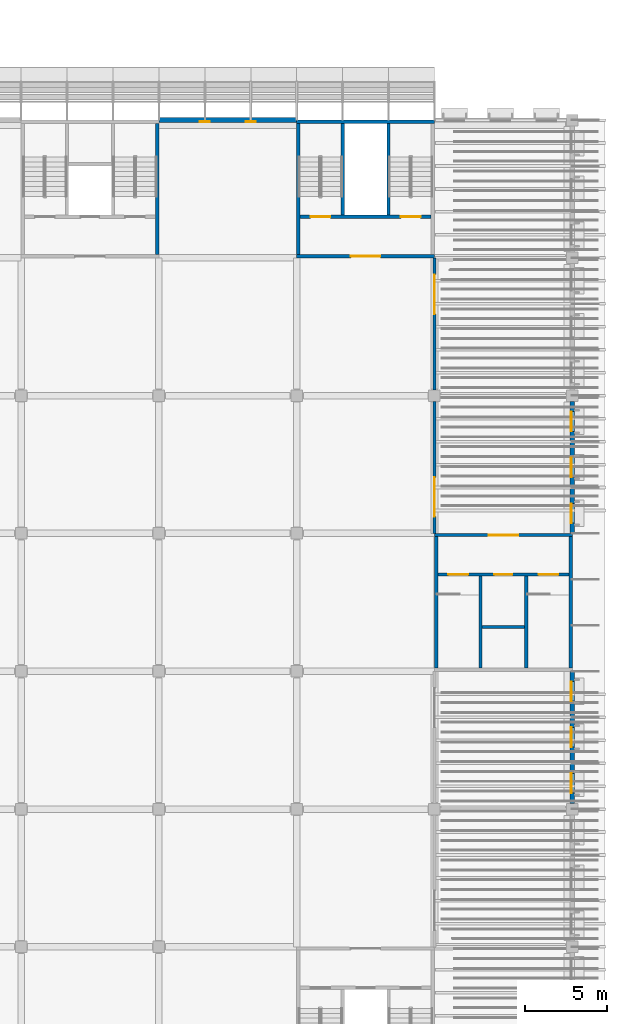
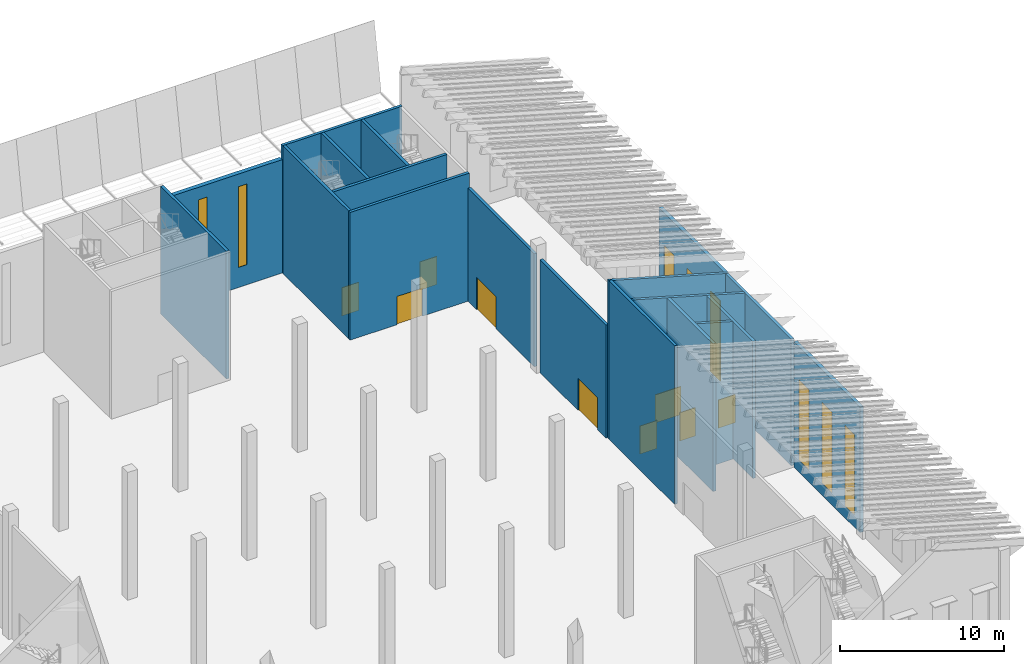
# One storey, part 51 of 114: 19 walls, 9 doors, 8 windows, 17 openings.
"""IFC4 building model written with IfcOpenShell, lengths in metres."""

from ifc_helpers import new_model, si_unit, direction, frame, frame_2d, origin, place, context, subcontext, project, spatial, polyline, rectangle, outline, extrude, material, layer, layer_set, type_object, element, fill, save


model = new_model("IFC4")

# Units and contexts
model_context = context("Model", 3, precision=1e-05, world=origin(), true_north=direction((0.0, 1.0)))
body_context = subcontext(model_context, "Body", "Model", "MODEL_VIEW")
ifc_project = project(units=[si_unit("LENGTHUNIT", "METRE"), si_unit("AREAUNIT", "SQUARE_METRE"), si_unit("VOLUMEUNIT", "CUBIC_METRE"), si_unit("PLANEANGLEUNIT", "RADIAN"), si_unit("MASSUNIT", "GRAM", prefix="KILO")], contexts=[model_context])

# Site, building, storey
site_placement = place(None, origin())
site = spatial("IfcSite", under=ifc_project, at=site_placement, CompositionType="ELEMENT")
building_placement = place(site_placement, origin())
building = spatial("IfcBuilding", under=site, at=building_placement, Name="Almond Square Museum", CompositionType="ELEMENT")
storey_placement = place(building_placement, frame((0.0, 0.0, 10.5)))
storey = spatial("IfcBuildingStorey", under=building, at=storey_placement, Name="L02", CompositionType="ELEMENT", Elevation=10.5)

# Wall, openings, windows
ifc_material_1 = material(Name="Concrete C30/37", Category="concrete")
ifc_layer_1 = layer(ifc_material_1, 0.300048828125)
ifc_layer_set_1 = layer_set([ifc_layer_1], Name="Concrete C30/37")
wall_type_1 = type_object("IfcWallType", Name="Cast concrete wall 300 C30/37 behind louvre skin", PredefinedType="SOLIDWALL", material=ifc_layer_set_1)
wall_1_placement = place(storey_placement, frame((132.0, 109.199951171875, 0.0), z_axis=(0.0, 0.0, 1.0), x_axis=(1.0, 0.0, 0.0)))
wall_1 = element("IfcWall", 1, at=wall_1_placement, inside=storey, type_object=wall_type_1, Name="External wall W1 V1 L02 N01", PredefinedType="SOLIDWALL", context=body_context, shape_type="SweptSolid", body=[
    extrude(rectangle(XDim=8.39990234375, YDim=0.300048828125, at=frame_2d((4.199951171875, 0.0))), origin(), (0.0, 0.0, 1.0), 8.43994140625),
])
opening_1_placement = place(wall_1_placement, frame((2.5, 0.0, 1.5)))
opening_1 = element("IfcOpeningElement", 2, at=opening_1_placement, cuts=wall_1, Name="Opening W2105", PredefinedType="OPENING", context=body_context, shape_type="SweptSolid", body=[
    extrude(rectangle(XDim=0.60009765625, YDim=6.0, at=frame_2d((0.300048828125, 3.0))), frame((0.0, 0.159912109375, 0.0), z_axis=(0.0, -1.0, 0.0), x_axis=(1.0, 0.0, 0.0)), (0.0, 0.0, 1.0), 0.320068359375),
])
opening_2_placement = place(wall_1_placement, frame((5.300048828125, 0.0, 1.5)))
opening_2 = element("IfcOpeningElement", 3, at=opening_2_placement, cuts=wall_1, Name="Opening W2106", PredefinedType="OPENING", context=body_context, shape_type="SweptSolid", body=[
    extrude(rectangle(XDim=0.60009765625, YDim=6.0, at=frame_2d((0.300048828125, 3.0))), frame((0.0, 0.159912109375, 0.0), z_axis=(0.0, -1.0, 0.0), x_axis=(1.0, 0.0, 0.0)), (0.0, 0.0, 1.0), 0.320068359375),
])
ifc_material_2 = material(Name="Anodised aluminium louvre and laminated glass", Category="aluminium")
window_type_1 = type_object("IfcWindowType", Name="Tall slot window with storm louvre", PartitioningType="SINGLE_PANEL", PredefinedType="WINDOW", material=ifc_material_2)
window_1_placement = place(opening_1_placement, origin())
window_1 = element("IfcWindow", 4, at=window_1_placement, inside=storey, type_object=window_type_1, Name="Tall slot window with storm louvre W2105", OverallHeight=6.0, OverallWidth=0.60009765625, PartitioningType="SINGLE_PANEL", PredefinedType="WINDOW", context=body_context, shape_type="SweptSolid", body=[
    extrude(rectangle(XDim=0.60009765625, YDim=6.0, at=frame_2d((0.300048828125, 3.0))), frame((0.0, -0.070068359375, 0.0), z_axis=(0.0, -1.0, 0.0), x_axis=(1.0, 0.0, 0.0)), (0.0, 0.0, 1.0), 0.06005859375),
])
fill(opening_1, window_1)
window_2_placement = place(opening_2_placement, origin())
window_2 = element("IfcWindow", 5, at=window_2_placement, inside=storey, type_object=window_type_1, Name="Tall slot window with storm louvre W2106", OverallHeight=6.0, OverallWidth=0.60009765625, PartitioningType="SINGLE_PANEL", PredefinedType="WINDOW", context=body_context, shape_type="SweptSolid", body=[
    extrude(rectangle(XDim=0.60009765625, YDim=6.0, at=frame_2d((0.300048828125, 3.0))), frame((0.0, -0.070068359375, 0.0), z_axis=(0.0, -1.0, 0.0), x_axis=(1.0, 0.0, 0.0)), (0.0, 0.0, 1.0), 0.06005859375),
])
fill(opening_2, window_2)

# Wall, opening, door
ifc_material_3 = material(Name="Painted gypsum board on steel stud", Category="steel")
ifc_layer_2 = layer(ifc_material_3, 0.199951171875)
ifc_layer_set_2 = layer_set([ifc_layer_2], Name="Painted gypsum board on steel stud")
wall_type_2 = type_object("IfcWallType", Name="Gallery wall 200 painted board on stud", PredefinedType="PARTITIONING", material=ifc_layer_set_2)
wall_2_placement = place(storey_placement, frame((148.800048828125, 84.0, 0.0), z_axis=(0.0, 0.0, 1.0), x_axis=(0.0, 1.0, 0.0)))
wall_2 = element("IfcWall", 6, at=wall_2_placement, inside=storey, type_object=wall_type_2, Name="L02 partition 9", PredefinedType="PARTITIONING", context=body_context, shape_type="SweptSolid", body=[
    extrude(rectangle(XDim=8.050048828125, YDim=0.199951171875, at=frame_2d((4.02490234375, 0.0))), origin(), (0.0, 0.0, 1.0), 8.39990234375),
])
opening_3_placement = place(wall_2_placement, frame((1.02490234375, 0.0, 0.0)))
opening_3 = element("IfcOpeningElement", 7, at=opening_3_placement, cuts=wall_2, Name="Opening D2121", PredefinedType="OPENING", context=body_context, shape_type="SweptSolid", body=[
    extrude(rectangle(XDim=2.39990234375, YDim=2.39990234375, at=frame_2d((1.199951171875, 1.199951171875))), frame((0.0, 0.10986328125, 0.0), z_axis=(0.0, -1.0, 0.0), x_axis=(1.0, 0.0, 0.0)), (0.0, 0.0, 1.0), 0.219970703125),
])
ifc_material_4 = material(Name="Timber", Category="wood")
door_type_1 = type_object("IfcDoorType", Name="Gallery door 2400 x 2400 timber double", OperationType="NOTDEFINED", PredefinedType="DOOR", material=ifc_material_4)
door_1_placement = place(opening_3_placement, origin())
door_1 = element("IfcDoor", 8, at=door_1_placement, inside=storey, type_object=door_type_1, Name="L02 door Sculpture Gallery 1 to Grand Gallery", OperationType="DOUBLE_DOOR_SINGLE_SWING", OverallHeight=2.39990234375, OverallWidth=2.39990234375, PredefinedType="DOOR", context=body_context, shape_type="SweptSolid", body=[
    extrude(rectangle(XDim=2.39990234375, YDim=2.39990234375, at=frame_2d((1.199951171875, 1.199951171875))), frame((0.0, 0.02490234375, 0.0), z_axis=(0.0, -1.0, 0.0), x_axis=(1.0, 0.0, 0.0)), (0.0, 0.0, 1.0), 0.050048828125),
])
fill(opening_3, door_1)

wall_3_placement = place(storey_placement, frame((148.800048828125, 92.75, 0.0), z_axis=(0.0, 0.0, 1.0), x_axis=(0.0, 1.0, 0.0)))
wall_3 = element("IfcWall", 9, at=wall_3_placement, inside=storey, type_object=wall_type_2, Name="L02 partition 10", PredefinedType="PARTITIONING", context=body_context, shape_type="SweptSolid", body=[
    extrude(rectangle(XDim=8.050048828125, YDim=0.199951171875, at=frame_2d((4.02490234375, 0.0))), origin(), (0.0, 0.0, 1.0), 8.39990234375),
])
opening_4_placement = place(wall_3_placement, frame((4.625, 0.0, 0.0)))
opening_4 = element("IfcOpeningElement", 10, at=opening_4_placement, cuts=wall_3, Name="Opening D2122", PredefinedType="OPENING", context=body_context, shape_type="SweptSolid", body=[
    extrude(rectangle(XDim=2.39990234375, YDim=2.39990234375, at=frame_2d((1.199951171875, 1.199951171875))), frame((0.0, 0.10986328125, 0.0), z_axis=(0.0, -1.0, 0.0), x_axis=(1.0, 0.0, 0.0)), (0.0, 0.0, 1.0), 0.219970703125),
])
door_2_placement = place(opening_4_placement, origin())
door_2 = element("IfcDoor", 11, at=door_2_placement, inside=storey, type_object=door_type_1, Name="L02 door Sculpture Gallery 1 to Grand Gallery", OperationType="DOUBLE_DOOR_SINGLE_SWING", OverallHeight=2.39990234375, OverallWidth=2.39990234375, PredefinedType="DOOR", context=body_context, shape_type="SweptSolid", body=[
    extrude(rectangle(XDim=2.39990234375, YDim=2.39990234375, at=frame_2d((1.199951171875, 1.199951171875))), frame((0.0, 0.02490234375, 0.0), z_axis=(0.0, -1.0, 0.0), x_axis=(1.0, 0.0, 0.0)), (0.0, 0.0, 1.0), 0.050048828125),
])
fill(opening_4, door_2)

# Wall, openings, windows
ifc_material_5 = material(Name="Precast concrete C40/50", Category="concrete")
ifc_layer_3 = layer(ifc_material_5, 0.25)
ifc_layer_set_3 = layer_set([ifc_layer_3], Name="Precast concrete C40/50")
wall_type_3 = type_object("IfcWallType", Name="Precast concrete panel wall 250 with coral limestone piers", PredefinedType="SOLIDWALL", material=ifc_layer_set_3)
wall_4_placement = place(storey_placement, frame((157.199951171875, 67.550048828125, 0.0), z_axis=(0.0, 0.0, 1.0), x_axis=(0.0, 1.0, 0.0)))
wall_4 = element("IfcWall", 12, at=wall_4_placement, inside=storey, type_object=wall_type_3, Name="External wall W2 V4E L02 E03", PredefinedType="SOLIDWALL", context=body_context, shape_type="SweptSolid", body=[
    extrude(rectangle(XDim=8.050048828125, YDim=0.25, at=frame_2d((4.02490234375, 0.0))), origin(), (0.0, 0.0, 1.0), 9.341552734375),
])
opening_5_placement = place(wall_4_placement, frame((0.625, 0.0, 0.89990234375)))
opening_5 = element("IfcOpeningElement", 13, at=opening_5_placement, cuts=wall_4, Name="Opening W2090", PredefinedType="OPENING", context=body_context, shape_type="SweptSolid", body=[
    extrude(rectangle(XDim=1.199951171875, YDim=6.0, at=frame_2d((0.60009765625, 3.0))), frame((0.0, 0.135009765625, 0.0), z_axis=(0.0, -1.0, 0.0), x_axis=(1.0, 0.0, 0.0)), (0.0, 0.0, 1.0), 0.27001953125),
])
opening_6_placement = place(wall_4_placement, frame((3.425048828125, 0.0, 0.89990234375)))
opening_6 = element("IfcOpeningElement", 14, at=opening_6_placement, cuts=wall_4, Name="Opening W2091", PredefinedType="OPENING", context=body_context, shape_type="SweptSolid", body=[
    extrude(rectangle(XDim=1.199951171875, YDim=6.0, at=frame_2d((0.60009765625, 3.0))), frame((0.0, 0.135009765625, 0.0), z_axis=(0.0, -1.0, 0.0), x_axis=(1.0, 0.0, 0.0)), (0.0, 0.0, 1.0), 0.27001953125),
])
opening_7_placement = place(wall_4_placement, frame((6.22509765625, 0.0, 0.89990234375)))
opening_7 = element("IfcOpeningElement", 15, at=opening_7_placement, cuts=wall_4, Name="Opening W2092", PredefinedType="OPENING", context=body_context, shape_type="SweptSolid", body=[
    extrude(rectangle(XDim=1.199951171875, YDim=6.0, at=frame_2d((0.60009765625, 3.0))), frame((0.0, 0.135009765625, 0.0), z_axis=(0.0, -1.0, 0.0), x_axis=(1.0, 0.0, 0.0)), (0.0, 0.0, 1.0), 0.27001953125),
])
ifc_material_6 = material(Name="Anodised aluminium louvre and laminated glass", Category="aluminium")
window_type_2 = type_object("IfcWindowType", Name="Tall louvred pier window", PartitioningType="SINGLE_PANEL", PredefinedType="WINDOW", material=ifc_material_6)
window_3_placement = place(opening_5_placement, origin())
window_3 = element("IfcWindow", 16, at=window_3_placement, inside=storey, type_object=window_type_2, Name="Tall louvred pier window W2090", OverallHeight=6.0, OverallWidth=1.199951171875, PartitioningType="SINGLE_PANEL", PredefinedType="WINDOW", context=body_context, shape_type="SweptSolid", body=[
    extrude(rectangle(XDim=1.199951171875, YDim=6.0, at=frame_2d((0.60009765625, 3.0))), frame((0.0, 0.10498046875, 0.0), z_axis=(0.0, -1.0, 0.0), x_axis=(1.0, 0.0, 0.0)), (0.0, 0.0, 1.0), 0.06005859375),
])
fill(opening_5, window_3)
window_4_placement = place(opening_6_placement, origin())
window_4 = element("IfcWindow", 17, at=window_4_placement, inside=storey, type_object=window_type_2, Name="Tall louvred pier window W2091", OverallHeight=6.0, OverallWidth=1.199951171875, PartitioningType="SINGLE_PANEL", PredefinedType="WINDOW", context=body_context, shape_type="SweptSolid", body=[
    extrude(rectangle(XDim=1.199951171875, YDim=6.0, at=frame_2d((0.60009765625, 3.0))), frame((0.0, 0.10498046875, 0.0), z_axis=(0.0, -1.0, 0.0), x_axis=(1.0, 0.0, 0.0)), (0.0, 0.0, 1.0), 0.06005859375),
])
fill(opening_6, window_4)
window_5_placement = place(opening_7_placement, origin())
window_5 = element("IfcWindow", 18, at=window_5_placement, inside=storey, type_object=window_type_2, Name="Tall louvred pier window W2092", OverallHeight=6.0, OverallWidth=1.199951171875, PartitioningType="SINGLE_PANEL", PredefinedType="WINDOW", context=body_context, shape_type="SweptSolid", body=[
    extrude(rectangle(XDim=1.199951171875, YDim=6.0, at=frame_2d((0.60009765625, 3.0))), frame((0.0, 0.10498046875, 0.0), z_axis=(0.0, -1.0, 0.0), x_axis=(1.0, 0.0, 0.0)), (0.0, 0.0, 1.0), 0.06005859375),
])
fill(opening_7, window_5)

wall_5_placement = place(storey_placement, frame((157.199951171875, 84.0, 0.0), z_axis=(0.0, 0.0, 1.0), x_axis=(0.0, 1.0, 0.0)))
wall_5 = element("IfcWall", 19, at=wall_5_placement, inside=storey, type_object=wall_type_3, Name="External wall W2 V4E L02 E04", PredefinedType="SOLIDWALL", context=body_context, shape_type="SweptSolid", body=[
    extrude(rectangle(XDim=8.050048828125, YDim=0.25, at=frame_2d((4.02490234375, 0.0))), origin(), (0.0, 0.0, 1.0), 9.341552734375),
])
opening_8_placement = place(wall_5_placement, frame((0.625, 0.0, 0.89990234375)))
opening_8 = element("IfcOpeningElement", 20, at=opening_8_placement, cuts=wall_5, Name="Opening W2093", PredefinedType="OPENING", context=body_context, shape_type="SweptSolid", body=[
    extrude(rectangle(XDim=1.199951171875, YDim=6.0, at=frame_2d((0.60009765625, 3.0))), frame((0.0, 0.135009765625, 0.0), z_axis=(0.0, -1.0, 0.0), x_axis=(1.0, 0.0, 0.0)), (0.0, 0.0, 1.0), 0.27001953125),
])
opening_9_placement = place(wall_5_placement, frame((3.425048828125, 0.0, 0.89990234375)))
opening_9 = element("IfcOpeningElement", 21, at=opening_9_placement, cuts=wall_5, Name="Opening W2094", PredefinedType="OPENING", context=body_context, shape_type="SweptSolid", body=[
    extrude(rectangle(XDim=1.199951171875, YDim=6.0, at=frame_2d((0.60009765625, 3.0))), frame((0.0, 0.135009765625, 0.0), z_axis=(0.0, -1.0, 0.0), x_axis=(1.0, 0.0, 0.0)), (0.0, 0.0, 1.0), 0.27001953125),
])
opening_10_placement = place(wall_5_placement, frame((6.22509765625, 0.0, 0.89990234375)))
opening_10 = element("IfcOpeningElement", 22, at=opening_10_placement, cuts=wall_5, Name="Opening W2095", PredefinedType="OPENING", context=body_context, shape_type="SweptSolid", body=[
    extrude(rectangle(XDim=1.199951171875, YDim=6.0, at=frame_2d((0.60009765625, 3.0))), frame((0.0, 0.135009765625, 0.0), z_axis=(0.0, -1.0, 0.0), x_axis=(1.0, 0.0, 0.0)), (0.0, 0.0, 1.0), 0.27001953125),
])
window_6_placement = place(opening_8_placement, origin())
window_6 = element("IfcWindow", 23, at=window_6_placement, inside=storey, type_object=window_type_2, Name="Tall louvred pier window W2093", OverallHeight=6.0, OverallWidth=1.199951171875, PartitioningType="SINGLE_PANEL", PredefinedType="WINDOW", context=body_context, shape_type="SweptSolid", body=[
    extrude(rectangle(XDim=1.199951171875, YDim=6.0, at=frame_2d((0.60009765625, 3.0))), frame((0.0, 0.10498046875, 0.0), z_axis=(0.0, -1.0, 0.0), x_axis=(1.0, 0.0, 0.0)), (0.0, 0.0, 1.0), 0.06005859375),
])
fill(opening_8, window_6)
window_7_placement = place(opening_9_placement, origin())
window_7 = element("IfcWindow", 24, at=window_7_placement, inside=storey, type_object=window_type_2, Name="Tall louvred pier window W2094", OverallHeight=6.0, OverallWidth=1.199951171875, PartitioningType="SINGLE_PANEL", PredefinedType="WINDOW", context=body_context, shape_type="SweptSolid", body=[
    extrude(rectangle(XDim=1.199951171875, YDim=6.0, at=frame_2d((0.60009765625, 3.0))), frame((0.0, 0.10498046875, 0.0), z_axis=(0.0, -1.0, 0.0), x_axis=(1.0, 0.0, 0.0)), (0.0, 0.0, 1.0), 0.06005859375),
])
fill(opening_9, window_7)
window_8_placement = place(opening_10_placement, origin())
window_8 = element("IfcWindow", 25, at=window_8_placement, inside=storey, type_object=window_type_2, Name="Tall louvred pier window W2095", OverallHeight=6.0, OverallWidth=1.199951171875, PartitioningType="SINGLE_PANEL", PredefinedType="WINDOW", context=body_context, shape_type="SweptSolid", body=[
    extrude(rectangle(XDim=1.199951171875, YDim=6.0, at=frame_2d((0.60009765625, 3.0))), frame((0.0, 0.10498046875, 0.0), z_axis=(0.0, -1.0, 0.0), x_axis=(1.0, 0.0, 0.0)), (0.0, 0.0, 1.0), 0.06005859375),
])
fill(opening_10, window_8)

# Wall, opening, door
ifc_material_7 = material(Name="Concrete C40/50", Category="concrete")
ifc_layer_4 = layer(ifc_material_7, 0.199951171875)
ifc_layer_set_4 = layer_set([ifc_layer_4], Name="Concrete C40/50")
wall_type_4 = type_object("IfcWallType", Name="RC shear wall 200 C40/50", PredefinedType="SHEAR", material=ifc_layer_set_4)
wall_6_placement = place(storey_placement, frame((140.39990234375, 100.89990234375, 0.0), z_axis=(0.0, 0.0, 1.0), x_axis=(1.0, 0.0, 0.0)))
wall_6 = element("IfcWall", 26, at=wall_6_placement, inside=storey, type_object=wall_type_4, Name="Core H3 south wall L02", PredefinedType="SHEAR", context=body_context, shape_type="SweptSolid", body=[
    extrude(rectangle(XDim=8.400146484375, YDim=0.199951171875, at=frame_2d((4.2001953125, 0.0))), origin(), (0.0, 0.0, 1.0), 9.5),
])
opening_11_placement = place(wall_6_placement, frame((3.300048828125, 0.0, 0.0)))
opening_11 = element("IfcOpeningElement", 27, at=opening_11_placement, cuts=wall_6, Name="Opening D2134", PredefinedType="OPENING", context=body_context, shape_type="SweptSolid", body=[
    extrude(rectangle(XDim=1.800048828125, YDim=2.10009765625, at=frame_2d((0.89990234375, 1.050048828125))), frame((0.0, 0.10986328125, 0.0), z_axis=(0.0, -1.0, 0.0), x_axis=(1.0, 0.0, 0.0)), (0.0, 0.0, 1.0), 0.219970703125),
])
ifc_material_8 = material(Name="Steel", Category="steel")
door_type_2 = type_object("IfcDoorType", Name="Fire door 1800 x 2100 FD60 double", OperationType="NOTDEFINED", PredefinedType="DOOR", material=ifc_material_8)
door_3_placement = place(opening_11_placement, origin())
door_3 = element("IfcDoor", 28, at=door_3_placement, inside=storey, type_object=door_type_2, Name="L02 stair core H3 lobby door", OperationType="DOUBLE_DOOR_SINGLE_SWING", OverallHeight=2.10009765625, OverallWidth=1.800048828125, PredefinedType="DOOR", context=body_context, shape_type="SweptSolid", body=[
    extrude(rectangle(XDim=1.800048828125, YDim=2.10009765625, at=frame_2d((0.89990234375, 1.050048828125))), frame((0.0, 0.02490234375, 0.0), z_axis=(0.0, -1.0, 0.0), x_axis=(1.0, 0.0, 0.0)), (0.0, 0.0, 1.0), 0.050048828125),
])
fill(opening_11, door_3)

# Walls
wall_7_placement = place(storey_placement, frame((140.39990234375, 109.10009765625, 0.0), z_axis=(0.0, 0.0, 1.0), x_axis=(1.0, 0.0, 0.0)))
element("IfcWall", 29, at=wall_7_placement, inside=storey, type_object=wall_type_4, Name="Core H3 north wall L02", PredefinedType="SHEAR", context=body_context, shape_type="SweptSolid", body=[
    extrude(rectangle(XDim=8.400146484375, YDim=0.199951171875, at=frame_2d((4.2001953125, 0.0))), origin(), (0.0, 0.0, 1.0), 9.5),
])
wall_8_placement = place(storey_placement, frame((140.5, 101.0, 0.0), z_axis=(0.0, 0.0, 1.0), x_axis=(0.0, 1.0, 0.0)))
element("IfcWall", 30, at=wall_8_placement, inside=storey, type_object=wall_type_4, Name="Core H3 west wall L02", PredefinedType="SHEAR", context=body_context, shape_type="SweptSolid", body=[
    extrude(rectangle(XDim=8.0, YDim=0.199951171875, at=frame_2d((4.0, 0.0))), origin(), (0.0, 0.0, 1.0), 9.5),
])

# Wall, openings, doors
wall_9_placement = place(storey_placement, frame((140.60009765625, 103.300048828125, 0.0), z_axis=(0.0, 0.0, 1.0), x_axis=(1.0, 0.0, 0.0)))
wall_9 = element("IfcWall", 31, at=wall_9_placement, inside=storey, type_object=wall_type_4, Name="Core H3 lobby wall L02", PredefinedType="SHEAR", context=body_context, shape_type="SweptSolid", body=[
    extrude(rectangle(XDim=8.0, YDim=0.199951171875, at=frame_2d((4.0, 0.0))), origin(), (0.0, 0.0, 1.0), 9.5),
])
opening_12_placement = place(wall_9_placement, frame((0.64990234375, 0.0, 0.0)))
opening_12 = element("IfcOpeningElement", 32, at=opening_12_placement, cuts=wall_9, Name="Opening D2135", PredefinedType="OPENING", context=body_context, shape_type="SweptSolid", body=[
    extrude(rectangle(XDim=1.199951171875, YDim=2.10009765625, at=frame_2d((0.60009765625, 1.050048828125))), frame((0.0, 0.10986328125, 0.0), z_axis=(0.0, -1.0, 0.0), x_axis=(1.0, 0.0, 0.0)), (0.0, 0.0, 1.0), 0.219970703125),
])
opening_13_placement = place(wall_9_placement, frame((6.14990234375, 0.0, 0.0)))
opening_13 = element("IfcOpeningElement", 33, at=opening_13_placement, cuts=wall_9, Name="Opening D2136", PredefinedType="OPENING", context=body_context, shape_type="SweptSolid", body=[
    extrude(rectangle(XDim=1.199951171875, YDim=2.10009765625, at=frame_2d((0.60009765625, 1.050048828125))), frame((0.0, 0.10986328125, 0.0), z_axis=(0.0, -1.0, 0.0), x_axis=(1.0, 0.0, 0.0)), (0.0, 0.0, 1.0), 0.219970703125),
])
ifc_material_9 = material(Name="Steel", Category="steel")
door_type_3 = type_object("IfcDoorType", Name="Fire door 1200 x 2100 FD120 stair", OperationType="NOTDEFINED", PredefinedType="DOOR", material=ifc_material_9)
door_4_placement = place(opening_12_placement, origin())
door_4 = element("IfcDoor", 34, at=door_4_placement, inside=storey, type_object=door_type_3, Name="L02 stair H3-1 door", OperationType="SINGLE_SWING_LEFT", OverallHeight=2.10009765625, OverallWidth=1.199951171875, PredefinedType="DOOR", context=body_context, shape_type="SweptSolid", body=[
    extrude(rectangle(XDim=1.199951171875, YDim=2.10009765625, at=frame_2d((0.60009765625, 1.050048828125))), frame((0.0, 0.02490234375, 0.0), z_axis=(0.0, -1.0, 0.0), x_axis=(1.0, 0.0, 0.0)), (0.0, 0.0, 1.0), 0.050048828125),
])
fill(opening_12, door_4)
door_5_placement = place(opening_13_placement, origin())
door_5 = element("IfcDoor", 35, at=door_5_placement, inside=storey, type_object=door_type_3, Name="L02 stair H3-2 door", OperationType="SINGLE_SWING_RIGHT", OverallHeight=2.10009765625, OverallWidth=1.199951171875, PredefinedType="DOOR", context=body_context, shape_type="SweptSolid", body=[
    extrude(rectangle(XDim=1.199951171875, YDim=2.10009765625, at=frame_2d((0.60009765625, 1.050048828125))), frame((0.0, 0.02490234375, 0.0), z_axis=(0.0, -1.0, 0.0), x_axis=(1.0, 0.0, 0.0)), (0.0, 0.0, 1.0), 0.050048828125),
])
fill(opening_13, door_5)

# Walls
for number, where, z_axis, x_axis, name in (
    (36, (143.199951171875, 103.39990234375, 0.0), (0.0, 0.0, 1.0), (0.0, 1.0, 0.0), "Core H3 partition wall L02"),
    (37, (146.0, 103.39990234375, 0.0), (0.0, 0.0, 1.0), (0.0, 1.0, 0.0), "Core H3 partition wall L02"),
):
    element("IfcWall", number, at=place(storey_placement, frame(where, z_axis=z_axis, x_axis=x_axis)), inside=storey, type_object=wall_type_4, Name=name, PredefinedType="SHEAR", context=body_context, shape_type="SweptSolid", body=[
        extrude(rectangle(XDim=5.60009765625, YDim=0.199951171875, at=frame_2d((2.800048828125, 0.0))), origin(), (0.0, 0.0, 1.0), 9.5),
    ])
wall_10_placement = place(storey_placement, frame((131.89990234375, 101.0, 0.0), z_axis=(0.0, 0.0, 1.0), x_axis=(0.0, 1.0, 0.0)))
element("IfcWall", 38, at=wall_10_placement, inside=storey, type_object=wall_type_4, Name="Core H4 east wall L02", PredefinedType="SHEAR", context=body_context, shape_type="SweptSolid", body=[
    extrude(rectangle(XDim=8.0, YDim=0.199951171875, at=frame_2d((4.0, 0.0))), origin(), (0.0, 0.0, 1.0), 9.5),
])

# Wall, opening, door
wall_11_placement = place(storey_placement, frame((148.800048828125, 83.89990234375, 0.0), z_axis=(0.0, 0.0, 1.0), x_axis=(1.0, 0.0, 0.0)))
wall_11 = element("IfcWall", 39, at=wall_11_placement, inside=storey, type_object=wall_type_4, Name="Core E1 north wall L02", PredefinedType="SHEAR", context=body_context, shape_type="SweptSolid", body=[
    extrude(outline(polyline([(0.0, 0.0), (8.39990234375, 0.0), (8.39990234375, 9.39990234375), (8.10009765625, 9.486083984375), (7.800048828125, 9.571044921875), (6.89990234375, 9.8291015625), (6.60009765625, 9.9140625), (6.0, 10.0859375), (5.699951171875, 10.1708984375), (4.800048828125, 10.428955078125), (4.5, 10.513916015625), (3.89990234375, 10.68603515625), (3.60009765625, 10.77099609375), (2.699951171875, 11.029052734375), (2.39990234375, 11.114013671875), (1.800048828125, 11.285888671875), (1.5, 11.37109375), (0.60009765625, 11.62890625), (0.300048828125, 11.714111328125), (0.0, 11.800048828125), (0.0, 0.0)])), frame((0.0, 0.10009765625, 0.0), z_axis=(0.0, -1.0, 0.0), x_axis=(1.0, 0.0, 0.0)), (0.0, 0.0, 1.0), 0.199951171875),
])
opening_14_placement = place(wall_11_placement, frame((3.300048828125, 0.0, 0.0)))
opening_14 = element("IfcOpeningElement", 40, at=opening_14_placement, cuts=wall_11, Name="Opening D2162", PredefinedType="OPENING", context=body_context, shape_type="SweptSolid", body=[
    extrude(rectangle(XDim=1.800048828125, YDim=2.10009765625, at=frame_2d((0.89990234375, 1.050048828125))), frame((0.0, 0.10986328125, 0.0), z_axis=(0.0, -1.0, 0.0), x_axis=(1.0, 0.0, 0.0)), (0.0, 0.0, 1.0), 0.219970703125),
])
door_6_placement = place(opening_14_placement, origin())
door_6 = element("IfcDoor", 41, at=door_6_placement, inside=storey, type_object=door_type_2, Name="L02 stair core E1 lobby door", OperationType="DOUBLE_DOOR_SINGLE_SWING", OverallHeight=2.10009765625, OverallWidth=1.800048828125, PredefinedType="DOOR", context=body_context, shape_type="SweptSolid", body=[
    extrude(rectangle(XDim=1.800048828125, YDim=2.10009765625, at=frame_2d((0.89990234375, 1.050048828125))), frame((0.0, 0.02490234375, 0.0), z_axis=(0.0, -1.0, 0.0), x_axis=(1.0, 0.0, 0.0)), (0.0, 0.0, 1.0), 0.050048828125),
])
fill(opening_14, door_6)

# Walls
wall_12_placement = place(storey_placement, frame((148.89990234375, 75.800048828125, 0.0), z_axis=(0.0, 0.0, 1.0), x_axis=(0.0, 1.0, 0.0)))
element("IfcWall", 42, at=wall_12_placement, inside=storey, type_object=wall_type_4, Name="Core E1 west wall L02", PredefinedType="SHEAR", context=body_context, shape_type="SweptSolid", body=[
    extrude(rectangle(XDim=8.0, YDim=0.199951171875, at=frame_2d((4.0, 0.0))), origin(), (0.0, 0.0, 1.0), 11.800048828125),
])
wall_13_placement = place(storey_placement, frame((157.10009765625, 75.800048828125, 0.0), z_axis=(0.0, 0.0, 1.0), x_axis=(0.0, 1.0, 0.0)))
element("IfcWall", 43, at=wall_13_placement, inside=storey, type_object=wall_type_4, Name="Core E1 east wall L02", PredefinedType="SHEAR", context=body_context, shape_type="SweptSolid", body=[
    extrude(rectangle(XDim=8.0, YDim=0.199951171875, at=frame_2d((4.0, 0.0))), origin(), (0.0, 0.0, 1.0), 9.429931640625),
])

# Wall, openings, doors
wall_14_placement = place(storey_placement, frame((149.0, 81.5, 0.0), z_axis=(0.0, 0.0, 1.0), x_axis=(1.0, 0.0, 0.0)))
wall_14 = element("IfcWall", 44, at=wall_14_placement, inside=storey, type_object=wall_type_4, Name="Core E1 lobby wall L02", PredefinedType="SHEAR", context=body_context, shape_type="SweptSolid", body=[
    extrude(outline(polyline([(0.0, 0.0), (8.0, 0.0), (8.0, 9.45703125), (7.70361328125, 9.5419921875), (7.407470703125, 9.6259765625), (6.814697265625, 9.7958984375), (6.5185546875, 9.8798828125), (5.92578125, 10.050048828125), (5.629638671875, 10.134033203125), (5.037109375, 10.303955078125), (4.74072265625, 10.387939453125), (4.148193359375, 10.55810546875), (3.851806640625, 10.64208984375), (3.25927734375, 10.81201171875), (2.962890625, 10.89599609375), (2.370361328125, 11.06591796875), (2.07421875, 11.14990234375), (1.4814453125, 11.320068359375), (1.185302734375, 11.404052734375), (0.592529296875, 11.573974609375), (0.29638671875, 11.657958984375), (0.0, 11.742919921875), (0.0, 0.0)])), frame((0.0, 0.10009765625, 0.0), z_axis=(0.0, -1.0, 0.0), x_axis=(1.0, 0.0, 0.0)), (0.0, 0.0, 1.0), 0.199951171875),
])
opening_15_placement = place(wall_14_placement, frame((0.64990234375, 0.0, 0.0)))
opening_15 = element("IfcOpeningElement", 45, at=opening_15_placement, cuts=wall_14, Name="Opening D2163", PredefinedType="OPENING", context=body_context, shape_type="SweptSolid", body=[
    extrude(rectangle(XDim=1.199951171875, YDim=2.10009765625, at=frame_2d((0.60009765625, 1.050048828125))), frame((0.0, 0.10986328125, 0.0), z_axis=(0.0, -1.0, 0.0), x_axis=(1.0, 0.0, 0.0)), (0.0, 0.0, 1.0), 0.219970703125),
])
opening_16_placement = place(wall_14_placement, frame((6.14990234375, 0.0, 0.0)))
opening_16 = element("IfcOpeningElement", 46, at=opening_16_placement, cuts=wall_14, Name="Opening D2164", PredefinedType="OPENING", context=body_context, shape_type="SweptSolid", body=[
    extrude(rectangle(XDim=1.199951171875, YDim=2.10009765625, at=frame_2d((0.60009765625, 1.050048828125))), frame((0.0, 0.10986328125, 0.0), z_axis=(0.0, -1.0, 0.0), x_axis=(1.0, 0.0, 0.0)), (0.0, 0.0, 1.0), 0.219970703125),
])
opening_17_placement = place(wall_14_placement, frame((3.449951171875, 0.0, 0.0)))
opening_17 = element("IfcOpeningElement", 47, at=opening_17_placement, cuts=wall_14, Name="Opening D2165", PredefinedType="OPENING", context=body_context, shape_type="SweptSolid", body=[
    extrude(rectangle(XDim=1.10009765625, YDim=2.10009765625, at=frame_2d((0.550048828125, 1.050048828125))), frame((0.0, 0.10986328125, 0.0), z_axis=(0.0, -1.0, 0.0), x_axis=(1.0, 0.0, 0.0)), (0.0, 0.0, 1.0), 0.219970703125),
])
door_7_placement = place(opening_15_placement, origin())
door_7 = element("IfcDoor", 48, at=door_7_placement, inside=storey, type_object=door_type_3, Name="L02 stair E1-1 door", OperationType="SINGLE_SWING_LEFT", OverallHeight=2.10009765625, OverallWidth=1.199951171875, PredefinedType="DOOR", context=body_context, shape_type="SweptSolid", body=[
    extrude(rectangle(XDim=1.199951171875, YDim=2.10009765625, at=frame_2d((0.60009765625, 1.050048828125))), frame((0.0, 0.02490234375, 0.0), z_axis=(0.0, -1.0, 0.0), x_axis=(1.0, 0.0, 0.0)), (0.0, 0.0, 1.0), 0.050048828125),
])
fill(opening_15, door_7)
door_8_placement = place(opening_16_placement, origin())
door_8 = element("IfcDoor", 49, at=door_8_placement, inside=storey, type_object=door_type_3, Name="L02 stair E1-2 door", OperationType="SINGLE_SWING_RIGHT", OverallHeight=2.10009765625, OverallWidth=1.199951171875, PredefinedType="DOOR", context=body_context, shape_type="SweptSolid", body=[
    extrude(rectangle(XDim=1.199951171875, YDim=2.10009765625, at=frame_2d((0.60009765625, 1.050048828125))), frame((0.0, 0.02490234375, 0.0), z_axis=(0.0, -1.0, 0.0), x_axis=(1.0, 0.0, 0.0)), (0.0, 0.0, 1.0), 0.050048828125),
])
fill(opening_16, door_8)
ifc_material_10 = material(Name="Stainless steel", Category="steel")
door_type_4 = type_object("IfcDoorType", Name="Lift landing door 1100 x 2100", OperationType="NOTDEFINED", PredefinedType="DOOR", material=ifc_material_10)
door_9_placement = place(opening_17_placement, origin())
door_9 = element("IfcDoor", 50, at=door_9_placement, inside=storey, type_object=door_type_4, Name="L02 lift PL-E1 landing door", OperationType="DOUBLE_DOOR_SLIDING", OverallHeight=2.10009765625, OverallWidth=1.10009765625, PredefinedType="DOOR", context=body_context, shape_type="SweptSolid", body=[
    extrude(rectangle(XDim=1.10009765625, YDim=2.10009765625, at=frame_2d((0.550048828125, 1.050048828125))), frame((0.0, 0.02490234375, 0.0), z_axis=(0.0, -1.0, 0.0), x_axis=(1.0, 0.0, 0.0)), (0.0, 0.0, 1.0), 0.050048828125),
])
fill(opening_17, door_9)

# Walls
wall_15_placement = place(storey_placement, frame((151.60009765625, 75.800048828125, 0.0), z_axis=(0.0, 0.0, 1.0), x_axis=(0.0, 1.0, 0.0)))
element("IfcWall", 51, at=wall_15_placement, inside=storey, type_object=wall_type_4, Name="Core E1 partition wall L02", PredefinedType="SHEAR", context=body_context, shape_type="SweptSolid", body=[
    extrude(rectangle(XDim=5.599853515625, YDim=0.199951171875, at=frame_2d((2.7998046875, 0.0))), origin(), (0.0, 0.0, 1.0), 11.0),
])
wall_16_placement = place(storey_placement, frame((154.39990234375, 75.800048828125, 0.0), z_axis=(0.0, 0.0, 1.0), x_axis=(0.0, 1.0, 0.0)))
element("IfcWall", 52, at=wall_16_placement, inside=storey, type_object=wall_type_4, Name="Core E1 partition wall L02", PredefinedType="SHEAR", context=body_context, shape_type="SweptSolid", body=[
    extrude(rectangle(XDim=5.599853515625, YDim=0.199951171875, at=frame_2d((2.7998046875, 0.0))), origin(), (0.0, 0.0, 1.0), 10.199951171875),
])
wall_17_placement = place(storey_placement, frame((151.699951171875, 78.300048828125, 0.0), z_axis=(0.0, 0.0, 1.0), x_axis=(1.0, 0.0, 0.0)))
element("IfcWall", 53, at=wall_17_placement, inside=storey, type_object=wall_type_4, Name="Core E1 partition wall L02", PredefinedType="SHEAR", context=body_context, shape_type="SweptSolid", body=[
    extrude(outline(polyline([(0.0, 0.0), (2.60009765625, 0.0), (2.60009765625, 10.22900390625), (2.31103515625, 10.31103515625), (2.022216796875, 10.39404296875), (1.7333984375, 10.47607421875), (1.4443359375, 10.55908203125), (1.155517578125, 10.64111328125), (0.86669921875, 10.72412109375), (0.577880859375, 10.805908203125), (0.288818359375, 10.888916015625), (0.0, 10.970947265625), (0.0, 0.0)])), frame((0.0, 0.10009765625, 0.0), z_axis=(0.0, -1.0, 0.0), x_axis=(1.0, 0.0, 0.0)), (0.0, 0.0, 1.0), 0.199951171875),
])

save(model, "model.ifc")
